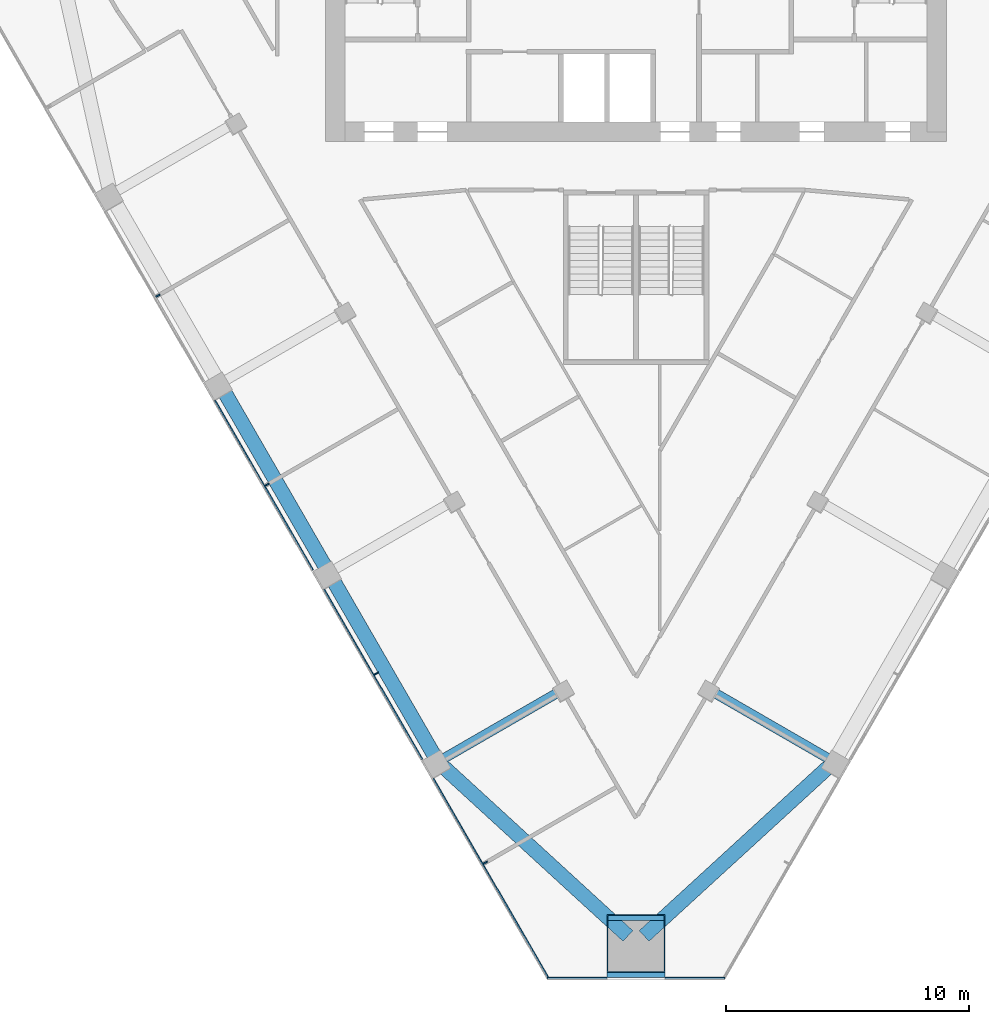
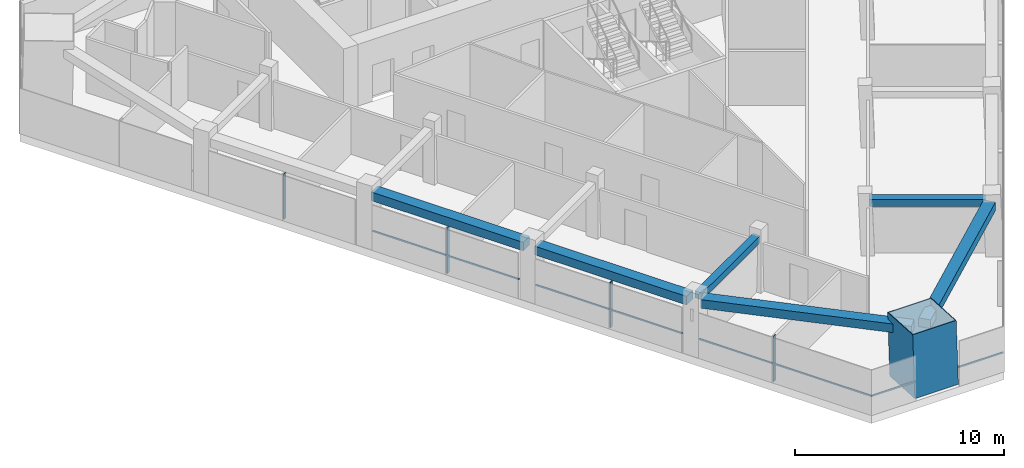
# One storey, part 2 of 13: 10 members, 6 beams, 2 elements without a shape of their own.
"""IFC4 building model written with IfcOpenShell, lengths in metres."""

from ifc_helpers import new_model, si_unit, direction, frame, origin, origin_2d, place, context, subcontext, project, spatial, rectangle, hollow_rectangle, extrude, material, layer, layer_set, material_profile, profile_set, type_object, element, aggregate, save


model = new_model("IFC4")

# Units and contexts
model_context = context("Model", 3, precision=1e-05, world=origin(), true_north=direction((0.0, 1.0)))
body_context = subcontext(model_context, "Body", "Model", "MODEL_VIEW")
ifc_project = project(units=[si_unit("LENGTHUNIT", "METRE"), si_unit("AREAUNIT", "SQUARE_METRE"), si_unit("VOLUMEUNIT", "CUBIC_METRE"), si_unit("PLANEANGLEUNIT", "RADIAN"), si_unit("MASSUNIT", "GRAM", prefix="KILO")], contexts=[model_context])

# Site, building, storey
site_placement = place(None, origin())
site = spatial("IfcSite", under=ifc_project, at=site_placement, CompositionType="ELEMENT")
building_placement = place(site_placement, origin())
building = spatial("IfcBuilding", under=site, at=building_placement, Name="Altiplano Prism Tower", CompositionType="ELEMENT")
storey_placement = place(building_placement, frame((0.0, 0.0, 153.0)))
storey = spatial("IfcBuildingStorey", under=building, at=storey_placement, Name="L39", CompositionType="ELEMENT", Elevation=153.0)

# Curtain wall, members
ifc_material_1 = material(Name="Aluminium and glass", Category="aluminium")
ifc_layer = layer(ifc_material_1, 0.303955078125)
ifc_layer_set = layer_set([ifc_layer], Name="Aluminium and glass")
curtain_wall_type = type_object("IfcCurtainWallType", Name="CW2 lounge-band unitised glazing", PredefinedType="NOTDEFINED", material=ifc_layer_set)
curtain_wall_1_placement = place(storey_placement, origin())
curtain_wall_1 = element("IfcCurtainWall", 1, at=curtain_wall_1_placement, inside=storey, type_object=curtain_wall_type, Name="CW2 curtain wall south-west face L39", PredefinedType="NOTDEFINED")
ifc_material_2 = material(Name="Aluminium", Category="aluminium")
ifc_material_profile_1 = material_profile(ifc_material_2, rectangle(XDim=0.199951171875, YDim=0.06005859375, at=origin_2d()), Name="CW2 mullion 60 x 200")
ifc_profile_set_1 = profile_set([ifc_material_profile_1], Name="Aluminium")
member_type_1 = type_object("IfcMemberType", Name="CW2 mullion 60 x 200", PredefinedType="MULLION", material=ifc_profile_set_1)
member_1_placement = place(storey_placement, frame((65.289794921875, 86.245361328125, 0.0), z_axis=(0.0, 0.0, 1.0), x_axis=(0.866025404064, 0.499999999516, 0.0)))
member_1 = element("IfcMember", 2, at=member_1_placement, type_object=member_type_1, Name="CW2 mullion", PredefinedType="MULLION", context=body_context, shape_type="SweptSolid", body=[
    extrude(rectangle(XDim=0.199951171875, YDim=0.06005859375, at=origin_2d()), origin(), (0.0, 0.0, 1.0), 2.64990234375),
])
member_2_placement = place(storey_placement, frame((69.789794921875, 78.451171875, 0.0), z_axis=(0.0, 0.0, 1.0), x_axis=(0.866025404064, 0.499999999516, 0.0)))
member_2 = element("IfcMember", 3, at=member_2_placement, type_object=member_type_1, Name="CW2 mullion", PredefinedType="MULLION", context=body_context, shape_type="SweptSolid", body=[
    extrude(rectangle(XDim=0.199951171875, YDim=0.06005859375, at=origin_2d()), origin(), (0.0, 0.0, 1.0), 2.64990234375),
])
member_3_placement = place(storey_placement, frame((74.289794921875, 70.656982421875, 0.0), z_axis=(0.0, 0.0, 1.0), x_axis=(0.866025404064, 0.499999999516, 0.0)))
member_3 = element("IfcMember", 4, at=member_3_placement, type_object=member_type_1, Name="CW2 mullion", PredefinedType="MULLION", context=body_context, shape_type="SweptSolid", body=[
    extrude(rectangle(XDim=0.199951171875, YDim=0.06005859375, at=origin_2d()), origin(), (0.0, 0.0, 1.0), 2.64990234375),
])
member_4_placement = place(storey_placement, frame((78.789794921875, 62.862548828125, 0.0), z_axis=(0.0, 0.0, 1.0), x_axis=(0.866025404064, 0.499999999516, 0.0)))
member_4 = element("IfcMember", 5, at=member_4_placement, type_object=member_type_1, Name="CW2 mullion", PredefinedType="MULLION", context=body_context, shape_type="SweptSolid", body=[
    extrude(rectangle(XDim=0.199951171875, YDim=0.06005859375, at=origin_2d()), origin(), (0.0, 0.0, 1.0), 2.64990234375),
])
ifc_material_profile_2 = material_profile(ifc_material_2, rectangle(XDim=0.06005859375, YDim=0.080078125, at=origin_2d()), Name="CW2 transom 80 x 60")
ifc_profile_set_2 = profile_set([ifc_material_profile_2], Name="Aluminium")
member_type_2 = type_object("IfcMemberType", Name="CW2 transom 80 x 60", PredefinedType="USERDEFINED", material=ifc_profile_set_2)
member_5_placement = place(storey_placement, frame((67.639892578125, 81.91455078125, 1.10009765625), z_axis=(0.500030598376, -0.866007737083, 0.0), x_axis=(0.866007737083, 0.500030598376, 0.0)))
member_5 = element("IfcMember", 6, at=member_5_placement, type_object=member_type_2, Name="CW2 transom", ObjectType="TRANSOM", PredefinedType="USERDEFINED", context=body_context, shape_type="SweptSolid", body=[
    extrude(rectangle(XDim=0.06005859375, YDim=0.080078125, at=origin_2d()), origin(), (0.0, 0.0, 1.0), 8.06982421875),
])
member_6_placement = place(storey_placement, frame((72.139892578125, 74.120361328125, 1.10009765625), z_axis=(0.500017497958, -0.866015301098, 0.0), x_axis=(0.866015301098, 0.500017497958, 0.0)))
member_6 = element("IfcMember", 7, at=member_6_placement, type_object=member_type_2, Name="CW2 transom", ObjectType="TRANSOM", PredefinedType="USERDEFINED", context=body_context, shape_type="SweptSolid", body=[
    extrude(rectangle(XDim=0.06005859375, YDim=0.080078125, at=origin_2d()), origin(), (0.0, 0.0, 1.0), 8.070068359375),
])
member_7_placement = place(storey_placement, frame((76.639892578125, 66.326171875, 1.10009765625), z_axis=(0.50001627395, -0.866016007811, 0.0), x_axis=(0.866016007811, 0.50001627395, 0.0)))
member_7 = element("IfcMember", 8, at=member_7_placement, type_object=member_type_2, Name="CW2 transom", ObjectType="TRANSOM", PredefinedType="USERDEFINED", context=body_context, shape_type="SweptSolid", body=[
    extrude(rectangle(XDim=0.06005859375, YDim=0.080078125, at=origin_2d()), origin(), (0.0, 0.0, 1.0), 9.542236328125),
])
aggregate(curtain_wall_1, [member_1, member_2, member_5, member_3, member_6, member_4, member_7])

curtain_wall_2_placement = place(storey_placement, origin())
curtain_wall_2 = element("IfcCurtainWall", 9, at=curtain_wall_2_placement, inside=storey, type_object=curtain_wall_type, Name="CW2 curtain wall south chamfer L39", PredefinedType="NOTDEFINED")
member_8_placement = place(storey_placement, frame((81.346923828125, 58.099365234375, 1.10009765625), z_axis=(1.0, 0.0, 0.0), x_axis=(0.0, 1.0, 0.0)))
member_8 = element("IfcMember", 10, at=member_8_placement, type_object=member_type_2, Name="CW2 transom", ObjectType="TRANSOM", PredefinedType="USERDEFINED", context=body_context, shape_type="SweptSolid", body=[
    extrude(rectangle(XDim=0.06005859375, YDim=0.080078125, at=origin_2d()), origin(), (0.0, 0.0, 1.0), 2.453125),
])
member_9_placement = place(storey_placement, frame((86.199951171875, 58.099365234375, 1.10009765625), z_axis=(1.0, 0.0, 0.0), x_axis=(0.0, 1.0, 0.0)))
member_9 = element("IfcMember", 11, at=member_9_placement, type_object=member_type_2, Name="CW2 transom", ObjectType="TRANSOM", PredefinedType="USERDEFINED", context=body_context, shape_type="SweptSolid", body=[
    extrude(rectangle(XDim=0.06005859375, YDim=0.080078125, at=origin_2d()), origin(), (0.0, 0.0, 1.0), 2.453125),
])
aggregate(curtain_wall_2, [member_8, member_9])

# Beams
ifc_material_3 = material(Name="Concrete C60/75", Category="concrete")
ifc_material_profile_3 = material_profile(ifc_material_3, rectangle(XDim=0.60009765625, YDim=0.5, at=origin_2d()), Name="Edge beam 600x500")
ifc_profile_set_3 = profile_set([ifc_material_profile_3], Name="Concrete C60/75")
beam_type_1 = type_object("IfcBeamType", Name="Edge beam 600x500", PredefinedType="SPANDREL", material=ifc_profile_set_3)
for number, where, z_axis, x_axis, name in (
    (12, (67.9853515625, 82.345703125, 2.89990234375), (0.499997845736, -0.866026647546, 0.0), (0.866026647546, 0.499997845736, 0.0), "Edge beam P12-P13 L40"),
    (13, (72.4853515625, 74.551513671875, 2.89990234375), (0.499997845736, -0.866026647546, 0.0), (0.866026647546, 0.499997845736, 0.0), "Edge beam P13-P14 L40"),
):
    element("IfcBeam", number, at=place(storey_placement, frame(where, z_axis=z_axis, x_axis=x_axis)), inside=storey, type_object=beam_type_1, Name=name, PredefinedType="SPANDREL", context=body_context, shape_type="SweptSolid", body=[
        extrude(rectangle(XDim=0.60009765625, YDim=0.5, at=origin_2d()), origin(), (0.0, 0.0, 1.0), 8.39013671875),
    ])
for number, where, z_axis, x_axis, name in (
    (14, (77.07275390625, 66.80126953125, 2.89990234375), (0.737206269208, -0.675667756105, 0.0), (0.675667756105, 0.737206269208, 0.0), "Edge beam P14-M1 L40"),
    (15, (85.331787109375, 59.83984375, 2.89990234375), (0.737206269208, 0.675667756105, 0.0), (-0.675667756105, 0.737206269208, 0.0), "Edge beam M1-P21 L40"),
):
    element("IfcBeam", number, at=place(storey_placement, frame(where, z_axis=z_axis, x_axis=x_axis)), inside=storey, type_object=beam_type_1, Name=name, PredefinedType="SPANDREL", context=body_context, shape_type="SweptSolid", body=[
        extrude(rectangle(XDim=0.60009765625, YDim=0.5, at=origin_2d()), origin(), (0.0, 0.0, 1.0), 10.302978515625),
    ])

# Member
ifc_material_4 = material(Name="Steel S460", Category="steel")
ifc_material_profile_4 = material_profile(ifc_material_4, hollow_rectangle(XDim=2.39990234375, YDim=2.39990234375, WallThickness=0.0400390625, at=origin_2d()), Name="Mega column tube 2400")
ifc_profile_set_4 = profile_set([ifc_material_profile_4], Name="Steel S460")
member_type_3 = type_object("IfcMemberType", Name="Mega column tube 2400", PredefinedType="POST", material=ifc_profile_set_4)
member_10_placement = place(storey_placement, frame((85.0, 59.325439453125, 0.0), z_axis=(0.0, 0.058356907999, 0.998295783467), x_axis=(-1.0, 0.0, 0.0)))
element("IfcMember", 16, at=member_10_placement, inside=storey, type_object=member_type_3, Name="Mega column tube M1 L39", PredefinedType="POST", context=body_context, shape_type="SweptSolid", body=[
    extrude(hollow_rectangle(XDim=2.39990234375, YDim=2.39990234375, WallThickness=0.0400390625, at=origin_2d()), origin(), (0.0, 0.0, 1.0), 3.606201171875),
])

# Beams
ifc_material_profile_5 = material_profile(ifc_material_3, rectangle(XDim=0.39990234375, YDim=0.39990234375, at=origin_2d()), Name="Tie beam 400x400")
ifc_profile_set_5 = profile_set([ifc_material_profile_5], Name="Concrete C60/75")
beam_type_2 = type_object("IfcBeamType", Name="Tie beam 400x400", PredefinedType="BEAM", material=ifc_profile_set_5)
for number, where, z_axis, x_axis, name in (
    (17, (81.894775390625, 69.94384765625, 2.949951171875), (-0.866027073272, -0.499997108352, 0.0), (0.499997108352, -0.866027073272, 0.0), "Tie beam I14 L40"),
    (18, (88.105224609375, 69.94384765625, 2.949951171875), (0.866027073272, -0.499997108352, 0.0), (0.499997108352, 0.866027073272, 0.0), "Tie beam I21 L40"),
):
    element("IfcBeam", number, at=place(storey_placement, frame(where, z_axis=z_axis, x_axis=x_axis)), inside=storey, type_object=beam_type_2, Name=name, PredefinedType="BEAM", context=body_context, shape_type="SweptSolid", body=[
        extrude(rectangle(XDim=0.39990234375, YDim=0.39990234375, at=origin_2d()), origin(), (0.0, 0.0, 1.0), 5.5400390625),
    ])

save(model, "model.ifc")
